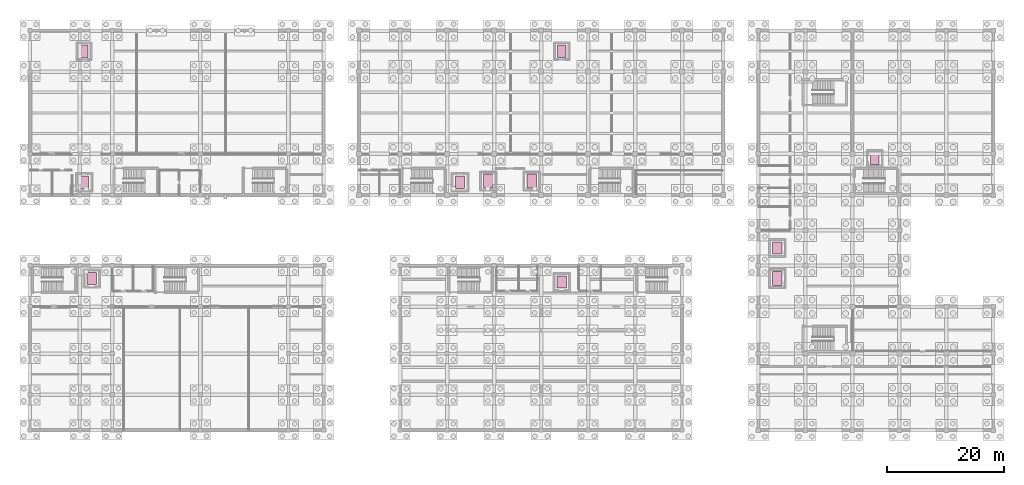
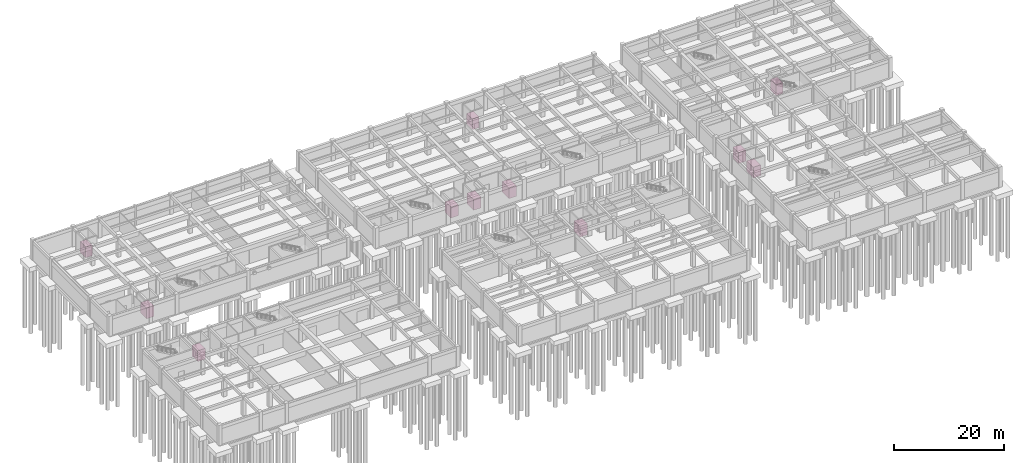
# One storey, part 28 of 28: 11 transport elements.
"""IFC4 building model written with IfcOpenShell, lengths in metres."""

import ifcopenshell
import ifcopenshell.guid

model = None  # the IFC model being written
_history = None  # IfcOwnerHistory: only IFC2X3 demands one
_inside = {}  # id of a spatial element -> (the spatial element, [elements in it])
_under = {}  # id of a project, library or spatial element -> (it, [spatial elements below it])
_declared = {}  # id of a project -> (the project, [libraries it declares])
_typed = {}  # id of a type object -> (the type object, [elements of that type])
_made_of = {}  # id of a material, layer set ... -> (it, [elements and type objects made of it])


def new_model(schema):
    """Start an empty IFC model of exactly this schema.

    Asked for "IFC4X3", IfcOpenShell would pick the latest addendum, in which some entities
    have other attributes; the version numbers below select the first issue.
    IFC2X3 requires an IfcOwnerHistory on every rooted entity: one is made here for all.
    """
    global model, _history
    if schema == "IFC4X3":
        model = ifcopenshell.file(schema_version=(4, 3, 0, 0))
    else:
        model = ifcopenshell.file(schema=schema)
    _inside.clear()
    _under.clear()
    _declared.clear()
    _typed.clear()
    _made_of.clear()
    _history = None
    if model.schema == "IFC2X3":
        org = make("IfcOrganization", Name="unknown")
        user = make(
            "IfcPersonAndOrganization",
            ThePerson=make("IfcPerson", FamilyName="unknown"),
            TheOrganization=org,
        )
        app = make(
            "IfcApplication",
            ApplicationDeveloper=org,
            Version="unknown",
            ApplicationFullName="unknown",
            ApplicationIdentifier="unknown",
        )
        _history = make(
            "IfcOwnerHistory",
            OwningUser=user,
            OwningApplication=app,
            ChangeAction="ADDED",
            CreationDate=0,
        )
    return model


def make(cls, **values):
    """One entity of the class cls with the attributes given. An attribute that is None is left unset."""
    return model.create_entity(
        cls, **{name: value for name, value in values.items() if value is not None}
    )


def rooted(cls, **values):
    """An entity with a GlobalId (a new one), such as an element, a storey or a relation."""
    return make(cls, GlobalId=ifcopenshell.guid.new(), OwnerHistory=_history, **values)


def si_unit(unit_type, name, prefix=None):
    """IfcSIUnit, for example si_unit("LENGTHUNIT", "METRE", prefix="MILLI")."""
    return make("IfcSIUnit", UnitType=unit_type, Prefix=prefix, Name=name)


def assignment(units):
    """IfcUnitAssignment: the units of a project."""
    return None if units is None else make("IfcUnitAssignment", Units=units)


def point(xyz):
    """IfcCartesianPoint."""
    return None if xyz is None else make("IfcCartesianPoint", Coordinates=xyz)


def direction(xyz):
    """IfcDirection."""
    return None if xyz is None else make("IfcDirection", DirectionRatios=xyz)


def frame(location, z_axis=None, x_axis=None):
    """IfcAxis2Placement3D, a coordinate frame: its origin and axes. An axis left out is left unset."""
    return make(
        "IfcAxis2Placement3D",
        Location=point(location),
        Axis=direction(z_axis),
        RefDirection=direction(x_axis),
    )


def frame_2d(location, x_axis=None):
    """IfcAxis2Placement2D, a coordinate frame in the plane: its origin and x axis."""
    return make(
        "IfcAxis2Placement2D", Location=point(location), RefDirection=direction(x_axis)
    )


def origin():
    """The frame at (0, 0, 0) with its axes left unset."""
    return frame((0.0, 0.0, 0.0))


def origin_2d():
    """The frame at (0, 0) in the plane with its x axis left unset."""
    return frame_2d((0.0, 0.0))


def place(relative_to, where):
    """IfcLocalPlacement: puts the frame where relative to a parent placement (None: the world)."""
    return make(
        "IfcLocalPlacement", PlacementRelTo=relative_to, RelativePlacement=where
    )


def context(
    kind, dimensions, precision=None, world=None, true_north=None, identifier=None
):
    """IfcGeometricRepresentationContext, for example the 3D "Model" context."""
    return make(
        "IfcGeometricRepresentationContext",
        ContextIdentifier=identifier,
        ContextType=kind,
        CoordinateSpaceDimension=dimensions,
        Precision=precision,
        WorldCoordinateSystem=world,
        TrueNorth=true_north,
    )


def subcontext(parent, identifier, kind, view, scale=None):
    """IfcGeometricRepresentationSubContext, for example "Body" below "Model"."""
    return make(
        "IfcGeometricRepresentationSubContext",
        ContextIdentifier=identifier,
        ContextType=kind,
        ParentContext=parent,
        TargetScale=scale,
        TargetView=view,
    )


def project(units=None, contexts=None):
    """IfcProject with its units and contexts."""
    return rooted(
        "IfcProject",
        Name="project",
        RepresentationContexts=contexts,
        UnitsInContext=assignment(units),
    )


def spatial(cls, under=None, at=None, **own):
    """A site, building, storey or space (cls), placed at a placement, below another one or the project."""
    s = rooted(cls, ObjectPlacement=at, **own)
    if under is not None:
        _under.setdefault(under.id(), (under, []))[1].append(s)
    return s


def profile(cls, at=None, kind="AREA", **sizes):
    """A parametric profile (cls). Its sizes go by their IFC names, for example OverallWidth=200.0."""
    return make(cls, ProfileType=kind, Position=at, **sizes)


def rectangle(**sizes):
    """IfcRectangleProfileDef."""
    return profile("IfcRectangleProfileDef", **sizes)


def extrude(swept, where, along, depth):
    """IfcExtrudedAreaSolid: the profile swept, set in the frame where, extruded along a direction by depth."""
    return make(
        "IfcExtrudedAreaSolid",
        SweptArea=swept,
        Position=where,
        ExtrudedDirection=direction(along),
        Depth=depth,
    )


def shape(context_of_items, identifier, shape_type, items):
    """IfcShapeRepresentation: the items that make up one representation, for example the "Body"."""
    return make(
        "IfcShapeRepresentation",
        ContextOfItems=context_of_items,
        RepresentationIdentifier=identifier,
        RepresentationType=shape_type,
        Items=items,
    )


def material(Name=None, Category=None):
    """IfcMaterial."""
    return make("IfcMaterial", Name=Name, Category=Category)


def made_of(thing, what):
    """Note that an element or type object is made of a material, layer set ...; save() writes the relation."""
    if what is not None:
        _made_of.setdefault(what.id(), (what, []))[1].append(thing)
    return thing


def type_object(cls, material=None, **own):
    """A type object (cls), such as IfcWallType, which elements share."""
    return made_of(rooted(cls, **own), material)


def element(
    cls,
    number,
    at=None,
    inside=None,
    cuts=None,
    type_object=None,
    material=None,
    context=None,
    identifier="Body",
    shape_type=None,
    held_by="IfcProductDefinitionShape",
    body=None,
    shapes=None,
    **own,
):
    """One element of the class cls, such as IfcWall. Its Tag is "e" and its number.

    at: its placement. inside: the storey or other place that contains it. cuts: it is an
    opening in that element (IfcRelVoidsElement). A single representation is given by context,
    identifier, shape_type and body (its items); several are given by shapes. held_by: the class
    of the entity that holds the representations. save() writes the other relations.
    """
    e = rooted(cls, Tag="e%d" % number, ObjectPlacement=at, **own)
    if body is not None:
        shapes = [shape(context, identifier, shape_type, body)]
    if shapes is not None:
        e.Representation = make(held_by, Representations=shapes)
    if inside is not None:
        _inside.setdefault(inside.id(), (inside, []))[1].append(e)
    if cuts is not None:
        rooted(
            "IfcRelVoidsElement", RelatingBuildingElement=cuts, RelatedOpeningElement=e
        )
    if type_object is not None:
        _typed.setdefault(type_object.id(), (type_object, []))[1].append(e)
    return made_of(e, material)


def aggregate(whole, parts):
    """IfcRelAggregates: a whole, such as a stair, and the parts it consists of."""
    return rooted("IfcRelAggregates", RelatingObject=whole, RelatedObjects=parts)


def save(model, path):
    """Write the relations noted so far, then the file.

    IfcRelAggregates (storeys below a building ...), IfcRelContainedInSpatialStructure (elements
    in a storey), IfcRelDefinesByType, IfcRelAssociatesMaterial and IfcRelDeclares: one each for
    every whole, place, type object, material and project.
    """
    for whole, parts in _under.values():
        aggregate(whole, parts)
    for where, things in _inside.values():
        rooted(
            "IfcRelContainedInSpatialStructure",
            RelatedElements=things,
            RelatingStructure=where,
        )
    for kind, things in _typed.values():
        rooted("IfcRelDefinesByType", RelatedObjects=things, RelatingType=kind)
    for what, things in _made_of.values():
        rooted("IfcRelAssociatesMaterial", RelatedObjects=things, RelatingMaterial=what)
    for by, libraries in _declared.values():
        rooted("IfcRelDeclares", RelatingContext=by, RelatedDefinitions=libraries)
    model.write(path)


model = new_model("IFC4")

# Units and contexts
model_context = context("Model", 3, precision=1e-05, world=origin(), true_north=direction((0.0, 1.0)))
body_context = subcontext(model_context, "Body", "Model", "MODEL_VIEW")
ifc_project = project(units=[si_unit("LENGTHUNIT", "METRE"), si_unit("AREAUNIT", "SQUARE_METRE"), si_unit("VOLUMEUNIT", "CUBIC_METRE"), si_unit("PLANEANGLEUNIT", "RADIAN"), si_unit("MASSUNIT", "GRAM", prefix="KILO")], contexts=[model_context])

# Site, building, storey
site_placement = place(None, origin())
site = spatial("IfcSite", under=ifc_project, at=site_placement, CompositionType="ELEMENT")
building_placement = place(site_placement, origin())
building = spatial("IfcBuilding", under=site, at=building_placement, Name="Naurynzar Civic Courthouse", CompositionType="ELEMENT")
storey_placement = place(building_placement, frame((0.0, 0.0, -4.5)))
storey = spatial("IfcBuildingStorey", under=building, at=storey_placement, Name="B01", CompositionType="ELEMENT", Elevation=-4.5)

# Transport elements
ifc_material_1 = material(Name="Brushed Stainless Steel 304", Category="steel")
transport_element_type_1 = type_object("IfcTransportElementType", Name="LIFT-CUS-1275", PredefinedType="ELEVATOR", material=ifc_material_1)
transport_element_1_placement = place(storey_placement, frame((149.800048828125, 50.25, 0.0), z_axis=(0.0, 0.0, 1.0), x_axis=(1.0, 0.0, 0.0)))
element("IfcTransportElement", 1, at=transport_element_1_placement, inside=storey, type_object=transport_element_type_1, Name="Lift LF-CUS", PredefinedType="ELEVATOR", context=body_context, shape_type="SweptSolid", body=[
    extrude(rectangle(XDim=1.39990234375, YDim=2.10009765625, at=origin_2d()), origin(), (0.0, 0.0, 1.0), 2.39990234375),
])
ifc_material_2 = material(Name="Brushed Stainless Steel 304", Category="steel")
transport_element_type_2 = type_object("IfcTransportElementType", Name="LIFT-FF-1600", PredefinedType="ELEVATOR", material=ifc_material_2)
for number, where, z_axis, x_axis, name in (
    (2, (84.0, 46.39990234375, 0.0), (0.0, 0.0, 1.0), (1.0, 0.0, 0.0), "Lift FL-02"),
    (3, (91.39990234375, 46.39990234375, 0.0), (0.0, 0.0, 1.0), (1.0, 0.0, 0.0), "Lift FL-01"),
):
    element("IfcTransportElement", number, at=place(storey_placement, frame(where, z_axis=z_axis, x_axis=x_axis)), inside=storey, type_object=transport_element_type_2, Name=name, PredefinedType="ELEVATOR", context=body_context, shape_type="SweptSolid", body=[
        extrude(rectangle(XDim=1.60009765625, YDim=2.39990234375, at=origin_2d()), origin(), (0.0, 0.0, 1.0), 2.39990234375),
    ])
ifc_material_3 = material(Name="Brushed Stainless Steel 304", Category="steel")
transport_element_type_3 = type_object("IfcTransportElementType", Name="LIFT-JUD-1150", PredefinedType="ELEVATOR", material=ifc_material_3)
for number, where, z_axis, x_axis, name in (
    (4, (15.199951171875, 68.5, 0.0), (0.0, 0.0, 1.0), (1.0, 0.0, 0.0), "Lift LJ-01"),
    (5, (96.5, 68.5, 0.0), (0.0, 0.0, 1.0), (1.0, 0.0, 0.0), "Lift LJ-02"),
):
    element("IfcTransportElement", number, at=place(storey_placement, frame(where, z_axis=z_axis, x_axis=x_axis)), inside=storey, type_object=transport_element_type_3, Name=name, PredefinedType="ELEVATOR", context=body_context, shape_type="SweptSolid", body=[
        extrude(rectangle(XDim=1.39990234375, YDim=2.10009765625, at=origin_2d()), origin(), (0.0, 0.0, 1.0), 2.39990234375),
    ])
ifc_material_4 = material(Name="Brushed Stainless Steel 304", Category="steel")
transport_element_type_4 = type_object("IfcTransportElementType", Name="LIFT-PASS-1350", PredefinedType="ELEVATOR", material=ifc_material_4)
for number, where, z_axis, x_axis, name in (
    (6, (15.199951171875, 46.199951171875, 0.0), (0.0, 0.0, 1.0), (1.0, 0.0, 0.0), "Lift LP-01"),
    (7, (16.5, 29.800048828125, 0.0), (0.0, 0.0, 1.0), (1.0, 0.0, 0.0), "Lift LP-02"),
    (8, (79.199951171875, 46.199951171875, 0.0), (0.0, 0.0, 1.0), (1.0, 0.0, 0.0), "Lift LP-03"),
    (9, (96.5, 29.199951171875, 0.0), (0.0, 0.0, 1.0), (1.0, 0.0, 0.0), "Lift LP-04"),
    (10, (133.199951171875, 35.0, 0.0), (0.0, 0.0, 1.0), (1.0, 0.0, 0.0), "Lift LP-05"),
):
    element("IfcTransportElement", number, at=place(storey_placement, frame(where, z_axis=z_axis, x_axis=x_axis)), inside=storey, type_object=transport_element_type_4, Name=name, PredefinedType="ELEVATOR", context=body_context, shape_type="SweptSolid", body=[
        extrude(rectangle(XDim=1.60009765625, YDim=2.10009765625, at=origin_2d()), origin(), (0.0, 0.0, 1.0), 2.39990234375),
    ])
ifc_material_5 = material(Name="Brushed Stainless Steel 304", Category="steel")
transport_element_type_5 = type_object("IfcTransportElementType", Name="LIFT-STRETCH-1600", PredefinedType="ELEVATOR", material=ifc_material_5)
transport_element_2_placement = place(storey_placement, frame((133.199951171875, 29.800048828125, 0.0), z_axis=(0.0, 0.0, 1.0), x_axis=(1.0, 0.0, 0.0)))
element("IfcTransportElement", 11, at=transport_element_2_placement, inside=storey, type_object=transport_element_type_5, Name="Lift LP-06", PredefinedType="ELEVATOR", context=body_context, shape_type="SweptSolid", body=[
    extrude(rectangle(XDim=1.60009765625, YDim=2.39990234375, at=origin_2d()), origin(), (0.0, 0.0, 1.0), 2.39990234375),
])

save(model, "model.ifc")
